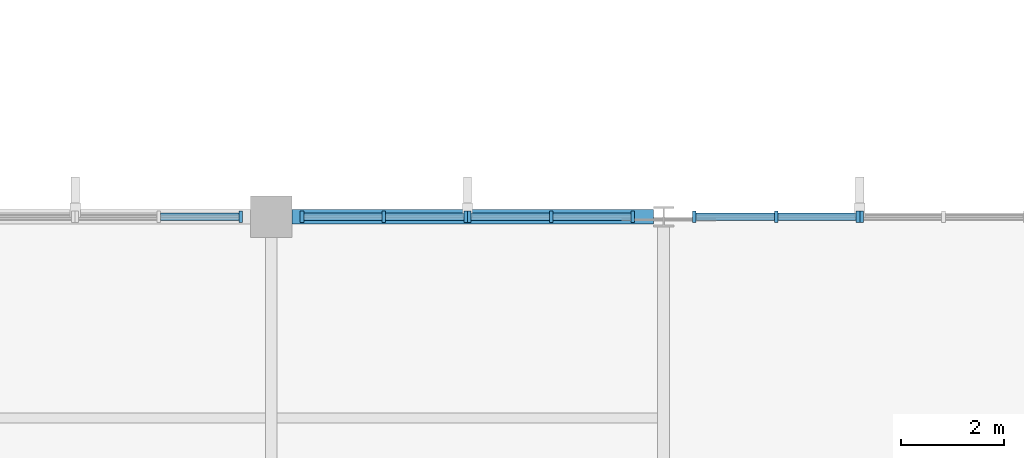
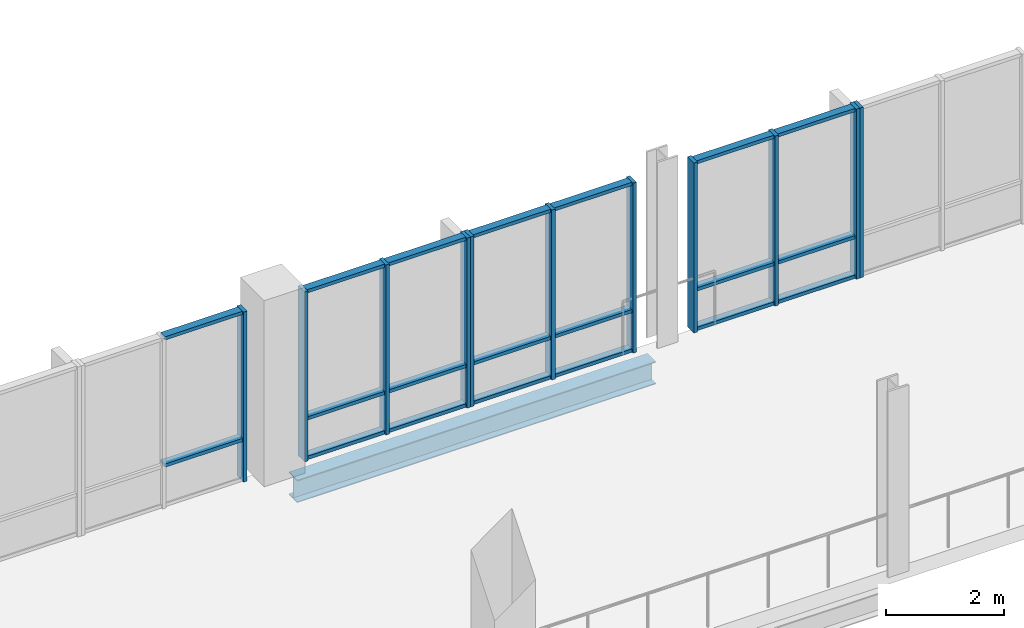
# One storey, part 24 of 64: 31 members, 1 beam, 5 elements without a shape of their own.
"""IFC4 building model written with IfcOpenShell, lengths in metres."""

from ifc_helpers import new_model, si_unit, direction, frame, origin, origin_2d, place, context, subcontext, project, spatial, rectangle, i_section, extrude, material, material_profile, profile_set, type_object, element, aggregate, save


model = new_model("IFC4")

# Units and contexts
model_context = context("Model", 3, precision=1e-05, world=origin(), true_north=direction((0.0, 1.0)))
body_context = subcontext(model_context, "Body", "Model", "MODEL_VIEW")
ifc_project = project(units=[si_unit("LENGTHUNIT", "METRE"), si_unit("AREAUNIT", "SQUARE_METRE"), si_unit("VOLUMEUNIT", "CUBIC_METRE"), si_unit("PLANEANGLEUNIT", "RADIAN"), si_unit("MASSUNIT", "GRAM", prefix="KILO")], contexts=[model_context])

# Site, building, storey
site_placement = place(None, origin())
site = spatial("IfcSite", under=ifc_project, at=site_placement, CompositionType="ELEMENT")
building_placement = place(site_placement, origin())
building = spatial("IfcBuilding", under=site, at=building_placement, Name="Vervanel Yard Central Library", CompositionType="ELEMENT")
storey_placement = place(building_placement, frame((0.0, 0.0, 8.93994140625)))
storey = spatial("IfcBuildingStorey", under=building, at=storey_placement, Name="L02", CompositionType="ELEMENT", Elevation=8.93994140625)

# Curtain wall, member
ifc_material_1 = material(Name="Thermally broken anodized aluminium 6063-T6", Category="aluminium")
curtain_wall_type = type_object("IfcCurtainWallType", Name="Reading Hall Full-Height Curtain Wall", PredefinedType="NOTDEFINED", material=ifc_material_1)
curtain_wall_1_placement = place(storey_placement, origin())
curtain_wall_1 = element("IfcCurtainWall", 1, at=curtain_wall_1_placement, inside=storey, type_object=curtain_wall_type, Name="L02 Reading Hall Full-Height Curtain Wall CWR-L02-099", PredefinedType="NOTDEFINED")
ifc_material_profile_1 = material_profile(ifc_material_1, rectangle(XDim=0.070068359375, YDim=0.219970703125, at=origin_2d()), Name="ALU 70x220", Category="aluminium")
ifc_profile_set_1 = profile_set([ifc_material_profile_1], Name="Thermally broken anodized aluminium 6063-T6")
member_type_1 = type_object("IfcMemberType", Name="Reading Hall Deep Mullion 70x220", PredefinedType="MULLION", material=ifc_profile_set_1)
member_1_placement = place(storey_placement, frame((115.0048828125, 82.199951171875, 0.0), z_axis=(0.0, 0.0, 1.0), x_axis=(1.0, 0.0, 0.0)))
member_1 = element("IfcMember", 2, at=member_1_placement, type_object=member_type_1, Name="CWR-L02-099 Mullion 3", PredefinedType="MULLION", context=body_context, shape_type="SweptSolid", body=[
    extrude(rectangle(XDim=0.070068359375, YDim=0.219970703125, at=origin_2d()), origin(), (0.0, 0.0, 1.0), 3.510009765625),
])

# Curtain wall, members
curtain_wall_2_placement = place(storey_placement, origin())
curtain_wall_2 = element("IfcCurtainWall", 3, at=curtain_wall_2_placement, inside=storey, type_object=curtain_wall_type, Name="L02 Reading Hall Full-Height Curtain Wall CWR-L02-100", PredefinedType="NOTDEFINED")
member_2_placement = place(storey_placement, frame((116.195068359375, 82.199951171875, 0.0), z_axis=(0.0, 0.0, 1.0), x_axis=(1.0, 0.0, 0.0)))
member_2 = element("IfcMember", 4, at=member_2_placement, type_object=member_type_1, Name="CWR-L02-100 Mullion 1", PredefinedType="MULLION", context=body_context, shape_type="SweptSolid", body=[
    extrude(rectangle(XDim=0.070068359375, YDim=0.219970703125, at=origin_2d()), origin(), (0.0, 0.0, 1.0), 3.510009765625),
])
member_3_placement = place(storey_placement, frame((117.780029296875, 82.199951171875, 0.0), z_axis=(0.0, 0.0, 1.0), x_axis=(1.0, 0.0, 0.0)))
member_3 = element("IfcMember", 5, at=member_3_placement, type_object=member_type_1, Name="CWR-L02-100 Mullion 2", PredefinedType="MULLION", context=body_context, shape_type="SweptSolid", body=[
    extrude(rectangle(XDim=0.070068359375, YDim=0.219970703125, at=origin_2d()), origin(), (0.0, 0.0, 1.0), 3.510009765625),
])
member_4_placement = place(storey_placement, frame((119.364990234375, 82.199951171875, 0.0), z_axis=(0.0, 0.0, 1.0), x_axis=(1.0, 0.0, 0.0)))
member_4 = element("IfcMember", 6, at=member_4_placement, type_object=member_type_1, Name="CWR-L02-100 Mullion 3", PredefinedType="MULLION", context=body_context, shape_type="SweptSolid", body=[
    extrude(rectangle(XDim=0.070068359375, YDim=0.219970703125, at=origin_2d()), origin(), (0.0, 0.0, 1.0), 3.510009765625),
])

curtain_wall_3_placement = place(storey_placement, origin())
curtain_wall_3 = element("IfcCurtainWall", 7, at=curtain_wall_3_placement, inside=storey, type_object=curtain_wall_type, Name="L02 Reading Hall Full-Height Curtain Wall CWR-L02-101", PredefinedType="NOTDEFINED")
member_5_placement = place(storey_placement, frame((119.43505859375, 82.199951171875, 0.0), z_axis=(0.0, 0.0, 1.0), x_axis=(1.0, 0.0, 0.0)))
member_5 = element("IfcMember", 8, at=member_5_placement, type_object=member_type_1, Name="CWR-L02-101 Mullion 1", PredefinedType="MULLION", context=body_context, shape_type="SweptSolid", body=[
    extrude(rectangle(XDim=0.070068359375, YDim=0.219970703125, at=origin_2d()), origin(), (0.0, 0.0, 1.0), 3.510009765625),
])
member_6_placement = place(storey_placement, frame((121.02001953125, 82.199951171875, 0.0), z_axis=(0.0, 0.0, 1.0), x_axis=(1.0, 0.0, 0.0)))
member_6 = element("IfcMember", 9, at=member_6_placement, type_object=member_type_1, Name="CWR-L02-101 Mullion 2", PredefinedType="MULLION", context=body_context, shape_type="SweptSolid", body=[
    extrude(rectangle(XDim=0.070068359375, YDim=0.219970703125, at=origin_2d()), origin(), (0.0, 0.0, 1.0), 3.510009765625),
])
member_7_placement = place(storey_placement, frame((122.60498046875, 82.199951171875, 0.0), z_axis=(0.0, 0.0, 1.0), x_axis=(1.0, 0.0, 0.0)))
member_7 = element("IfcMember", 10, at=member_7_placement, type_object=member_type_1, Name="CWR-L02-101 Mullion 3", PredefinedType="MULLION", context=body_context, shape_type="SweptSolid", body=[
    extrude(rectangle(XDim=0.070068359375, YDim=0.219970703125, at=origin_2d()), origin(), (0.0, 0.0, 1.0), 3.510009765625),
])

curtain_wall_4_placement = place(storey_placement, origin())
curtain_wall_4 = element("IfcCurtainWall", 11, at=curtain_wall_4_placement, inside=storey, type_object=curtain_wall_type, Name="L02 Reading Hall Full-Height Curtain Wall CWR-L02-102", PredefinedType="NOTDEFINED")
member_8_placement = place(storey_placement, frame((123.794921875, 82.199951171875, 0.0), z_axis=(0.0, 0.0, 1.0), x_axis=(1.0, 0.0, 0.0)))
member_8 = element("IfcMember", 12, at=member_8_placement, type_object=member_type_1, Name="CWR-L02-102 Mullion 1", PredefinedType="MULLION", context=body_context, shape_type="SweptSolid", body=[
    extrude(rectangle(XDim=0.070068359375, YDim=0.219970703125, at=origin_2d()), origin(), (0.0, 0.0, 1.0), 3.510009765625),
])
member_9_placement = place(storey_placement, frame((125.3798828125, 82.199951171875, 0.0), z_axis=(0.0, 0.0, 1.0), x_axis=(1.0, 0.0, 0.0)))
member_9 = element("IfcMember", 13, at=member_9_placement, type_object=member_type_1, Name="CWR-L02-102 Mullion 2", PredefinedType="MULLION", context=body_context, shape_type="SweptSolid", body=[
    extrude(rectangle(XDim=0.070068359375, YDim=0.219970703125, at=origin_2d()), origin(), (0.0, 0.0, 1.0), 3.510009765625),
])
member_10_placement = place(storey_placement, frame((126.965087890625, 82.199951171875, 0.0), z_axis=(0.0, 0.0, 1.0), x_axis=(1.0, 0.0, 0.0)))
member_10 = element("IfcMember", 14, at=member_10_placement, type_object=member_type_1, Name="CWR-L02-102 Mullion 3", PredefinedType="MULLION", context=body_context, shape_type="SweptSolid", body=[
    extrude(rectangle(XDim=0.070068359375, YDim=0.219970703125, at=origin_2d()), origin(), (0.0, 0.0, 1.0), 3.510009765625),
])

# Curtain wall, member
curtain_wall_5_placement = place(storey_placement, origin())
curtain_wall_5 = element("IfcCurtainWall", 15, at=curtain_wall_5_placement, inside=storey, type_object=curtain_wall_type, Name="L02 Reading Hall Full-Height Curtain Wall CWR-L02-103", PredefinedType="NOTDEFINED")
member_11_placement = place(storey_placement, frame((127.034912109375, 82.199951171875, 0.0), z_axis=(0.0, 0.0, 1.0), x_axis=(1.0, 0.0, 0.0)))
member_11 = element("IfcMember", 16, at=member_11_placement, type_object=member_type_1, Name="CWR-L02-103 Mullion 1", PredefinedType="MULLION", context=body_context, shape_type="SweptSolid", body=[
    extrude(rectangle(XDim=0.070068359375, YDim=0.219970703125, at=origin_2d()), origin(), (0.0, 0.0, 1.0), 3.510009765625),
])
aggregate(curtain_wall_5, [member_11])

# Member
ifc_material_profile_2 = material_profile(ifc_material_1, rectangle(XDim=0.070068359375, YDim=0.14990234375, at=origin_2d()), Name="ALU 70x150", Category="aluminium")
ifc_profile_set_2 = profile_set([ifc_material_profile_2], Name="Thermally broken anodized aluminium 6063-T6")
member_type_2 = type_object("IfcMemberType", Name="Reading Hall Deep Transom 70x150", PredefinedType="NOTDEFINED", material=ifc_profile_set_2)
member_12_placement = place(storey_placement, frame((113.455078125, 82.199951171875, 0.85009765625), z_axis=(1.0, 0.0, 0.0), x_axis=(0.0, 0.0, 1.0)))
member_12 = element("IfcMember", 17, at=member_12_placement, type_object=member_type_2, Name="CWR-L02-099 Transom B2-T2", ObjectType="TRANSOM", PredefinedType="USERDEFINED", context=body_context, shape_type="SweptSolid", body=[
    extrude(rectangle(XDim=0.070068359375, YDim=0.14990234375, at=origin_2d()), origin(), (0.0, 0.0, 1.0), 1.514892578125),
])

member_13_placement = place(storey_placement, frame((113.455078125, 82.199951171875, 3.47509765625), z_axis=(1.0, 0.0, 0.0), x_axis=(0.0, 0.0, 1.0)))
member_13 = element("IfcMember", 18, at=member_13_placement, type_object=member_type_2, Name="CWR-L02-099 Transom B2-T3", ObjectType="TRANSOM", PredefinedType="USERDEFINED", context=body_context, shape_type="SweptSolid", body=[
    extrude(rectangle(XDim=0.070068359375, YDim=0.14990234375, at=origin_2d()), origin(), (0.0, 0.0, 1.0), 1.514892578125),
])

aggregate(curtain_wall_1, [member_1, member_12, member_13])

member_14_placement = place(storey_placement, frame((116.22998046875, 82.199951171875, 0.03515625), z_axis=(1.0, 0.0, 0.0), x_axis=(0.0, 0.0, 1.0)))
member_14 = element("IfcMember", 19, at=member_14_placement, type_object=member_type_2, Name="CWR-L02-100 Transom B1-T1", ObjectType="TRANSOM", PredefinedType="USERDEFINED", context=body_context, shape_type="SweptSolid", body=[
    extrude(rectangle(XDim=0.070068359375, YDim=0.14990234375, at=origin_2d()), origin(), (0.0, 0.0, 1.0), 1.51513671875),
])

member_15_placement = place(storey_placement, frame((116.22998046875, 82.199951171875, 0.85009765625), z_axis=(1.0, 0.0, 0.0), x_axis=(0.0, 0.0, 1.0)))
member_15 = element("IfcMember", 20, at=member_15_placement, type_object=member_type_2, Name="CWR-L02-100 Transom B1-T2", ObjectType="TRANSOM", PredefinedType="USERDEFINED", context=body_context, shape_type="SweptSolid", body=[
    extrude(rectangle(XDim=0.070068359375, YDim=0.14990234375, at=origin_2d()), origin(), (0.0, 0.0, 1.0), 1.51513671875),
])

member_16_placement = place(storey_placement, frame((116.22998046875, 82.199951171875, 3.47509765625), z_axis=(1.0, 0.0, 0.0), x_axis=(0.0, 0.0, 1.0)))
member_16 = element("IfcMember", 21, at=member_16_placement, type_object=member_type_2, Name="CWR-L02-100 Transom B1-T3", ObjectType="TRANSOM", PredefinedType="USERDEFINED", context=body_context, shape_type="SweptSolid", body=[
    extrude(rectangle(XDim=0.070068359375, YDim=0.14990234375, at=origin_2d()), origin(), (0.0, 0.0, 1.0), 1.51513671875),
])

member_17_placement = place(storey_placement, frame((117.81494140625, 82.199951171875, 0.03515625), z_axis=(1.0, 0.0, 0.0), x_axis=(0.0, 0.0, 1.0)))
member_17 = element("IfcMember", 22, at=member_17_placement, type_object=member_type_2, Name="CWR-L02-100 Transom B2-T1", ObjectType="TRANSOM", PredefinedType="USERDEFINED", context=body_context, shape_type="SweptSolid", body=[
    extrude(rectangle(XDim=0.070068359375, YDim=0.14990234375, at=origin_2d()), origin(), (0.0, 0.0, 1.0), 1.51513671875),
])

member_18_placement = place(storey_placement, frame((117.81494140625, 82.199951171875, 0.85009765625), z_axis=(1.0, 0.0, 0.0), x_axis=(0.0, 0.0, 1.0)))
member_18 = element("IfcMember", 23, at=member_18_placement, type_object=member_type_2, Name="CWR-L02-100 Transom B2-T2", ObjectType="TRANSOM", PredefinedType="USERDEFINED", context=body_context, shape_type="SweptSolid", body=[
    extrude(rectangle(XDim=0.070068359375, YDim=0.14990234375, at=origin_2d()), origin(), (0.0, 0.0, 1.0), 1.51513671875),
])

member_19_placement = place(storey_placement, frame((117.81494140625, 82.199951171875, 3.47509765625), z_axis=(1.0, 0.0, 0.0), x_axis=(0.0, 0.0, 1.0)))
member_19 = element("IfcMember", 24, at=member_19_placement, type_object=member_type_2, Name="CWR-L02-100 Transom B2-T3", ObjectType="TRANSOM", PredefinedType="USERDEFINED", context=body_context, shape_type="SweptSolid", body=[
    extrude(rectangle(XDim=0.070068359375, YDim=0.14990234375, at=origin_2d()), origin(), (0.0, 0.0, 1.0), 1.51513671875),
])

aggregate(curtain_wall_2, [member_2, member_3, member_4, member_14, member_15, member_16, member_17, member_18, member_19])

member_20_placement = place(storey_placement, frame((119.469970703125, 82.199951171875, 0.03515625), z_axis=(1.0, 0.0, 0.0), x_axis=(0.0, 0.0, 1.0)))
member_20 = element("IfcMember", 25, at=member_20_placement, type_object=member_type_2, Name="CWR-L02-101 Transom B1-T1", ObjectType="TRANSOM", PredefinedType="USERDEFINED", context=body_context, shape_type="SweptSolid", body=[
    extrude(rectangle(XDim=0.070068359375, YDim=0.14990234375, at=origin_2d()), origin(), (0.0, 0.0, 1.0), 1.51513671875),
])

member_21_placement = place(storey_placement, frame((119.469970703125, 82.199951171875, 0.85009765625), z_axis=(1.0, 0.0, 0.0), x_axis=(0.0, 0.0, 1.0)))
member_21 = element("IfcMember", 26, at=member_21_placement, type_object=member_type_2, Name="CWR-L02-101 Transom B1-T2", ObjectType="TRANSOM", PredefinedType="USERDEFINED", context=body_context, shape_type="SweptSolid", body=[
    extrude(rectangle(XDim=0.070068359375, YDim=0.14990234375, at=origin_2d()), origin(), (0.0, 0.0, 1.0), 1.51513671875),
])

member_22_placement = place(storey_placement, frame((119.469970703125, 82.199951171875, 3.47509765625), z_axis=(1.0, 0.0, 0.0), x_axis=(0.0, 0.0, 1.0)))
member_22 = element("IfcMember", 27, at=member_22_placement, type_object=member_type_2, Name="CWR-L02-101 Transom B1-T3", ObjectType="TRANSOM", PredefinedType="USERDEFINED", context=body_context, shape_type="SweptSolid", body=[
    extrude(rectangle(XDim=0.070068359375, YDim=0.14990234375, at=origin_2d()), origin(), (0.0, 0.0, 1.0), 1.51513671875),
])

member_23_placement = place(storey_placement, frame((121.054931640625, 82.199951171875, 0.03515625), z_axis=(1.0, 0.0, 0.0), x_axis=(0.0, 0.0, 1.0)))
member_23 = element("IfcMember", 28, at=member_23_placement, type_object=member_type_2, Name="CWR-L02-101 Transom B2-T1", ObjectType="TRANSOM", PredefinedType="USERDEFINED", context=body_context, shape_type="SweptSolid", body=[
    extrude(rectangle(XDim=0.070068359375, YDim=0.14990234375, at=origin_2d()), origin(), (0.0, 0.0, 1.0), 1.51513671875),
])

member_24_placement = place(storey_placement, frame((121.054931640625, 82.199951171875, 0.85009765625), z_axis=(1.0, 0.0, 0.0), x_axis=(0.0, 0.0, 1.0)))
member_24 = element("IfcMember", 29, at=member_24_placement, type_object=member_type_2, Name="CWR-L02-101 Transom B2-T2", ObjectType="TRANSOM", PredefinedType="USERDEFINED", context=body_context, shape_type="SweptSolid", body=[
    extrude(rectangle(XDim=0.070068359375, YDim=0.14990234375, at=origin_2d()), origin(), (0.0, 0.0, 1.0), 1.51513671875),
])

member_25_placement = place(storey_placement, frame((121.054931640625, 82.199951171875, 3.47509765625), z_axis=(1.0, 0.0, 0.0), x_axis=(0.0, 0.0, 1.0)))
member_25 = element("IfcMember", 30, at=member_25_placement, type_object=member_type_2, Name="CWR-L02-101 Transom B2-T3", ObjectType="TRANSOM", PredefinedType="USERDEFINED", context=body_context, shape_type="SweptSolid", body=[
    extrude(rectangle(XDim=0.070068359375, YDim=0.14990234375, at=origin_2d()), origin(), (0.0, 0.0, 1.0), 1.51513671875),
])

aggregate(curtain_wall_3, [member_5, member_6, member_7, member_20, member_21, member_22, member_23, member_24, member_25])

member_26_placement = place(storey_placement, frame((123.830078125, 82.199951171875, 0.03515625), z_axis=(1.0, 0.0, 0.0), x_axis=(0.0, 0.0, 1.0)))
member_26 = element("IfcMember", 31, at=member_26_placement, type_object=member_type_2, Name="CWR-L02-102 Transom B1-T1", ObjectType="TRANSOM", PredefinedType="USERDEFINED", context=body_context, shape_type="SweptSolid", body=[
    extrude(rectangle(XDim=0.070068359375, YDim=0.14990234375, at=origin_2d()), origin(), (0.0, 0.0, 1.0), 1.514892578125),
])

member_27_placement = place(storey_placement, frame((123.830078125, 82.199951171875, 0.85009765625), z_axis=(1.0, 0.0, 0.0), x_axis=(0.0, 0.0, 1.0)))
member_27 = element("IfcMember", 32, at=member_27_placement, type_object=member_type_2, Name="CWR-L02-102 Transom B1-T2", ObjectType="TRANSOM", PredefinedType="USERDEFINED", context=body_context, shape_type="SweptSolid", body=[
    extrude(rectangle(XDim=0.070068359375, YDim=0.14990234375, at=origin_2d()), origin(), (0.0, 0.0, 1.0), 1.514892578125),
])

member_28_placement = place(storey_placement, frame((123.830078125, 82.199951171875, 3.47509765625), z_axis=(1.0, 0.0, 0.0), x_axis=(0.0, 0.0, 1.0)))
member_28 = element("IfcMember", 33, at=member_28_placement, type_object=member_type_2, Name="CWR-L02-102 Transom B1-T3", ObjectType="TRANSOM", PredefinedType="USERDEFINED", context=body_context, shape_type="SweptSolid", body=[
    extrude(rectangle(XDim=0.070068359375, YDim=0.14990234375, at=origin_2d()), origin(), (0.0, 0.0, 1.0), 1.514892578125),
])

member_29_placement = place(storey_placement, frame((125.4150390625, 82.199951171875, 0.03515625), z_axis=(1.0, 0.0, 0.0), x_axis=(0.0, 0.0, 1.0)))
member_29 = element("IfcMember", 34, at=member_29_placement, type_object=member_type_2, Name="CWR-L02-102 Transom B2-T1", ObjectType="TRANSOM", PredefinedType="USERDEFINED", context=body_context, shape_type="SweptSolid", body=[
    extrude(rectangle(XDim=0.070068359375, YDim=0.14990234375, at=origin_2d()), origin(), (0.0, 0.0, 1.0), 1.514892578125),
])

member_30_placement = place(storey_placement, frame((125.4150390625, 82.199951171875, 0.85009765625), z_axis=(1.0, 0.0, 0.0), x_axis=(0.0, 0.0, 1.0)))
member_30 = element("IfcMember", 35, at=member_30_placement, type_object=member_type_2, Name="CWR-L02-102 Transom B2-T2", ObjectType="TRANSOM", PredefinedType="USERDEFINED", context=body_context, shape_type="SweptSolid", body=[
    extrude(rectangle(XDim=0.070068359375, YDim=0.14990234375, at=origin_2d()), origin(), (0.0, 0.0, 1.0), 1.514892578125),
])

member_31_placement = place(storey_placement, frame((125.4150390625, 82.199951171875, 3.47509765625), z_axis=(1.0, 0.0, 0.0), x_axis=(0.0, 0.0, 1.0)))
member_31 = element("IfcMember", 36, at=member_31_placement, type_object=member_type_2, Name="CWR-L02-102 Transom B2-T3", ObjectType="TRANSOM", PredefinedType="USERDEFINED", context=body_context, shape_type="SweptSolid", body=[
    extrude(rectangle(XDim=0.070068359375, YDim=0.14990234375, at=origin_2d()), origin(), (0.0, 0.0, 1.0), 1.514892578125),
])

aggregate(curtain_wall_4, [member_8, member_9, member_10, member_26, member_27, member_28, member_29, member_30, member_31])

# Beam
ifc_material_2 = material(Name="Steel ASTM A992 Grade 50", Category="steel")
ifc_material_profile_3 = material_profile(ifc_material_2, i_section(OverallWidth=0.281982421875, OverallDepth=0.46728515625, WebThickness=0.01220703125, FlangeThickness=0.01953125, at=origin_2d()), Name="W18X86", Category="steel")
ifc_profile_set_3 = profile_set([ifc_material_profile_3], Name="Steel ASTM A992 Grade 50")
beam_type = type_object("IfcBeamType", Name="Steel Spandrel Beam W18X86", PredefinedType="SPANDREL", material=ifc_profile_set_3)
beam_placement = place(storey_placement, frame((116.0, 82.199951171875, -0.53369140625), z_axis=(1.0, 0.0, 0.0), x_axis=(0.0, 1.0, 0.0)))
element("IfcBeam", 37, at=beam_placement, inside=storey, type_object=beam_type, Name="L02 Girder SP-02 Y=82.2 X=115.6-123.2", PredefinedType="SPANDREL", context=body_context, shape_type="SweptSolid", body=[
    extrude(i_section(OverallWidth=0.281982421875, OverallDepth=0.46728515625, WebThickness=0.01220703125, FlangeThickness=0.01953125, at=origin_2d()), origin(), (0.0, 0.0, 1.0), 6.999267578125),
])

save(model, "model.ifc")
